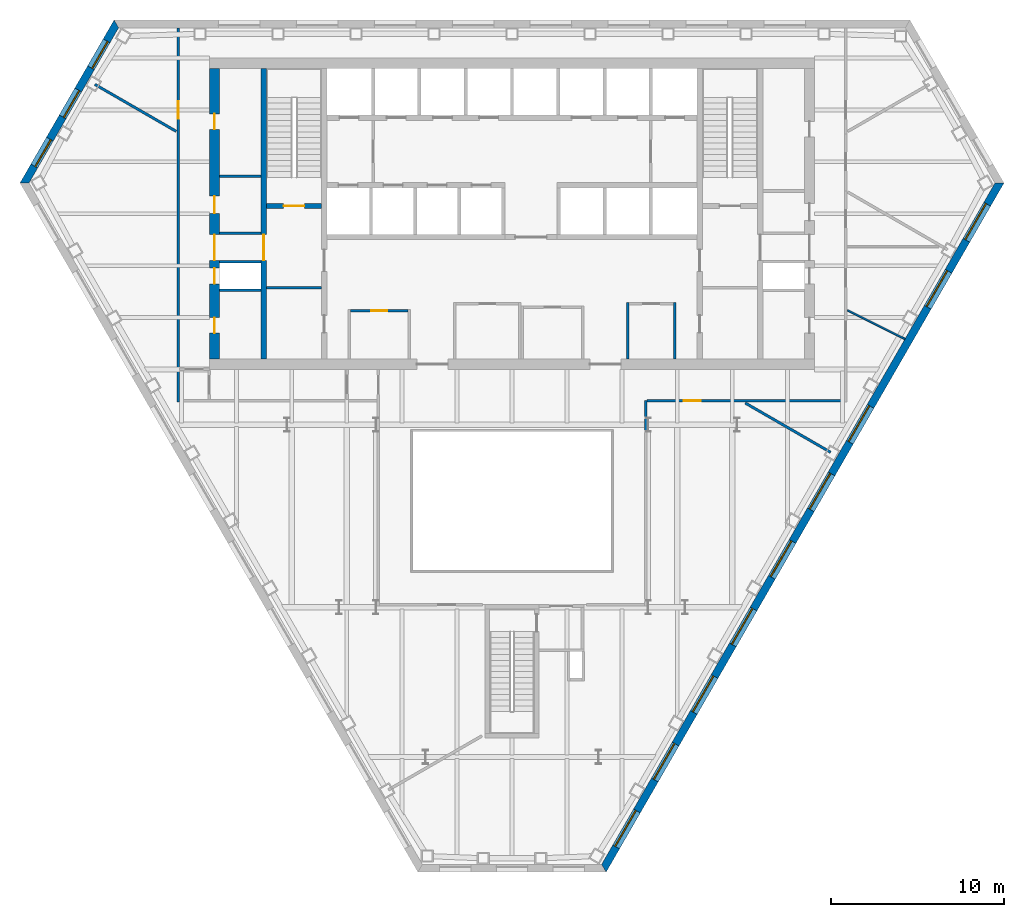
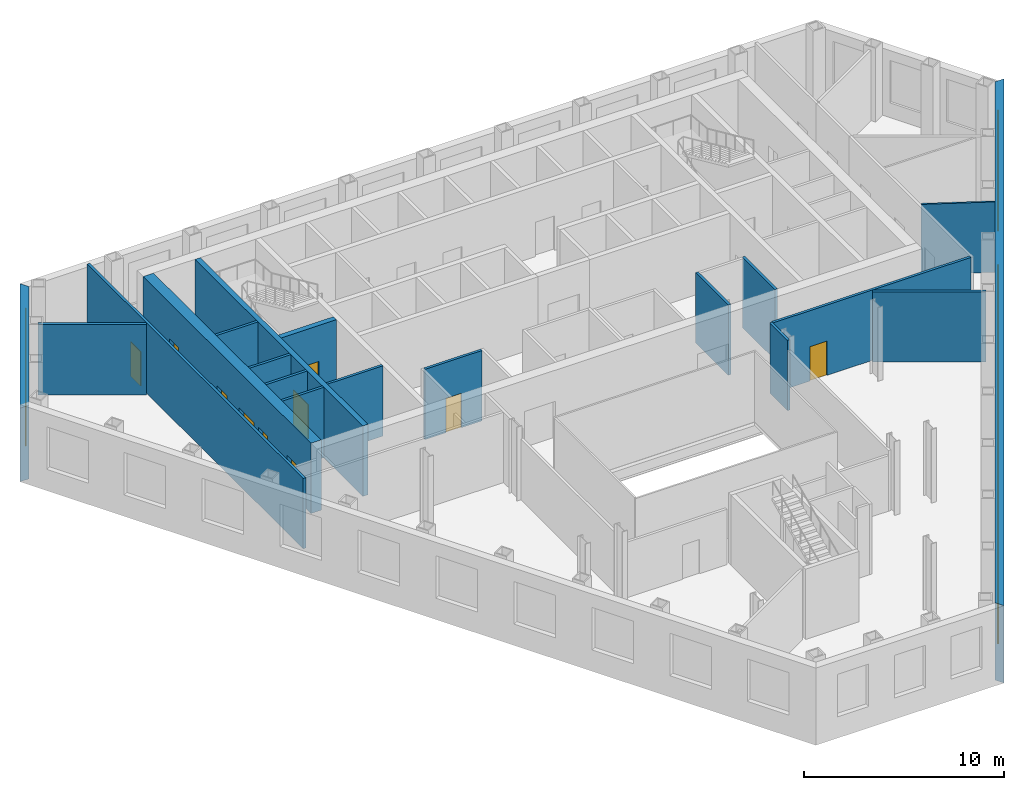
# One storey, part 5 of 10: 19 walls, 12 windows, 10 doors, 22 openings.
"""IFC4 building model written with IfcOpenShell, lengths in metres."""

import ifcopenshell
import ifcopenshell.guid

model = None  # the IFC model being written
_history = None  # IfcOwnerHistory: only IFC2X3 demands one
_inside = {}  # id of a spatial element -> (the spatial element, [elements in it])
_under = {}  # id of a project, library or spatial element -> (it, [spatial elements below it])
_declared = {}  # id of a project -> (the project, [libraries it declares])
_typed = {}  # id of a type object -> (the type object, [elements of that type])
_made_of = {}  # id of a material, layer set ... -> (it, [elements and type objects made of it])


def new_model(schema):
    """Start an empty IFC model of exactly this schema.

    Asked for "IFC4X3", IfcOpenShell would pick the latest addendum, in which some entities
    have other attributes; the version numbers below select the first issue.
    IFC2X3 requires an IfcOwnerHistory on every rooted entity: one is made here for all.
    """
    global model, _history
    if schema == "IFC4X3":
        model = ifcopenshell.file(schema_version=(4, 3, 0, 0))
    else:
        model = ifcopenshell.file(schema=schema)
    _inside.clear()
    _under.clear()
    _declared.clear()
    _typed.clear()
    _made_of.clear()
    _history = None
    if model.schema == "IFC2X3":
        org = make("IfcOrganization", Name="unknown")
        user = make(
            "IfcPersonAndOrganization",
            ThePerson=make("IfcPerson", FamilyName="unknown"),
            TheOrganization=org,
        )
        app = make(
            "IfcApplication",
            ApplicationDeveloper=org,
            Version="unknown",
            ApplicationFullName="unknown",
            ApplicationIdentifier="unknown",
        )
        _history = make(
            "IfcOwnerHistory",
            OwningUser=user,
            OwningApplication=app,
            ChangeAction="ADDED",
            CreationDate=0,
        )
    return model


def make(cls, **values):
    """One entity of the class cls with the attributes given. An attribute that is None is left unset."""
    return model.create_entity(
        cls, **{name: value for name, value in values.items() if value is not None}
    )


def rooted(cls, **values):
    """An entity with a GlobalId (a new one), such as an element, a storey or a relation."""
    return make(cls, GlobalId=ifcopenshell.guid.new(), OwnerHistory=_history, **values)


def si_unit(unit_type, name, prefix=None):
    """IfcSIUnit, for example si_unit("LENGTHUNIT", "METRE", prefix="MILLI")."""
    return make("IfcSIUnit", UnitType=unit_type, Prefix=prefix, Name=name)


def assignment(units):
    """IfcUnitAssignment: the units of a project."""
    return None if units is None else make("IfcUnitAssignment", Units=units)


def point(xyz):
    """IfcCartesianPoint."""
    return None if xyz is None else make("IfcCartesianPoint", Coordinates=xyz)


def direction(xyz):
    """IfcDirection."""
    return None if xyz is None else make("IfcDirection", DirectionRatios=xyz)


def frame(location, z_axis=None, x_axis=None):
    """IfcAxis2Placement3D, a coordinate frame: its origin and axes. An axis left out is left unset."""
    return make(
        "IfcAxis2Placement3D",
        Location=point(location),
        Axis=direction(z_axis),
        RefDirection=direction(x_axis),
    )


def frame_2d(location, x_axis=None):
    """IfcAxis2Placement2D, a coordinate frame in the plane: its origin and x axis."""
    return make(
        "IfcAxis2Placement2D", Location=point(location), RefDirection=direction(x_axis)
    )


def origin():
    """The frame at (0, 0, 0) with its axes left unset."""
    return frame((0.0, 0.0, 0.0))


def place(relative_to, where):
    """IfcLocalPlacement: puts the frame where relative to a parent placement (None: the world)."""
    return make(
        "IfcLocalPlacement", PlacementRelTo=relative_to, RelativePlacement=where
    )


def context(
    kind, dimensions, precision=None, world=None, true_north=None, identifier=None
):
    """IfcGeometricRepresentationContext, for example the 3D "Model" context."""
    return make(
        "IfcGeometricRepresentationContext",
        ContextIdentifier=identifier,
        ContextType=kind,
        CoordinateSpaceDimension=dimensions,
        Precision=precision,
        WorldCoordinateSystem=world,
        TrueNorth=true_north,
    )


def subcontext(parent, identifier, kind, view, scale=None):
    """IfcGeometricRepresentationSubContext, for example "Body" below "Model"."""
    return make(
        "IfcGeometricRepresentationSubContext",
        ContextIdentifier=identifier,
        ContextType=kind,
        ParentContext=parent,
        TargetScale=scale,
        TargetView=view,
    )


def project(units=None, contexts=None):
    """IfcProject with its units and contexts."""
    return rooted(
        "IfcProject",
        Name="project",
        RepresentationContexts=contexts,
        UnitsInContext=assignment(units),
    )


def spatial(cls, under=None, at=None, **own):
    """A site, building, storey or space (cls), placed at a placement, below another one or the project."""
    s = rooted(cls, ObjectPlacement=at, **own)
    if under is not None:
        _under.setdefault(under.id(), (under, []))[1].append(s)
    return s


def polyline(points):
    """IfcPolyline through the points."""
    return make("IfcPolyline", Points=[point(p) for p in points])


def profile(cls, at=None, kind="AREA", **sizes):
    """A parametric profile (cls). Its sizes go by their IFC names, for example OverallWidth=200.0."""
    return make(cls, ProfileType=kind, Position=at, **sizes)


def rectangle(**sizes):
    """IfcRectangleProfileDef."""
    return profile("IfcRectangleProfileDef", **sizes)


def outline(outer, holes=None, kind="AREA"):
    """IfcArbitraryClosedProfileDef: a profile drawn as a closed curve; with holes, ...WithVoids."""
    if holes is None:
        return make("IfcArbitraryClosedProfileDef", ProfileType=kind, OuterCurve=outer)
    return make(
        "IfcArbitraryProfileDefWithVoids",
        ProfileType=kind,
        OuterCurve=outer,
        InnerCurves=holes,
    )


def extrude(swept, where, along, depth):
    """IfcExtrudedAreaSolid: the profile swept, set in the frame where, extruded along a direction by depth."""
    return make(
        "IfcExtrudedAreaSolid",
        SweptArea=swept,
        Position=where,
        ExtrudedDirection=direction(along),
        Depth=depth,
    )


def shape(context_of_items, identifier, shape_type, items):
    """IfcShapeRepresentation: the items that make up one representation, for example the "Body"."""
    return make(
        "IfcShapeRepresentation",
        ContextOfItems=context_of_items,
        RepresentationIdentifier=identifier,
        RepresentationType=shape_type,
        Items=items,
    )


def material(Name=None, Category=None):
    """IfcMaterial."""
    return make("IfcMaterial", Name=Name, Category=Category)


def layer(
    of_material, thickness, ventilated=None, Name=None, Category=None, Priority=None
):
    """IfcMaterialLayer: one layer of a wall or slab, of a material (None: an air gap)."""
    return make(
        "IfcMaterialLayer",
        Material=of_material,
        LayerThickness=thickness,
        IsVentilated=ventilated,
        Name=Name,
        Category=Category,
        Priority=Priority,
    )


def layer_set(layers, Name=None):
    """IfcMaterialLayerSet."""
    return make("IfcMaterialLayerSet", MaterialLayers=layers, LayerSetName=Name)


def made_of(thing, what):
    """Note that an element or type object is made of a material, layer set ...; save() writes the relation."""
    if what is not None:
        _made_of.setdefault(what.id(), (what, []))[1].append(thing)
    return thing


def type_object(cls, material=None, **own):
    """A type object (cls), such as IfcWallType, which elements share."""
    return made_of(rooted(cls, **own), material)


def element(
    cls,
    number,
    at=None,
    inside=None,
    cuts=None,
    type_object=None,
    material=None,
    context=None,
    identifier="Body",
    shape_type=None,
    held_by="IfcProductDefinitionShape",
    body=None,
    shapes=None,
    **own,
):
    """One element of the class cls, such as IfcWall. Its Tag is "e" and its number.

    at: its placement. inside: the storey or other place that contains it. cuts: it is an
    opening in that element (IfcRelVoidsElement). A single representation is given by context,
    identifier, shape_type and body (its items); several are given by shapes. held_by: the class
    of the entity that holds the representations. save() writes the other relations.
    """
    e = rooted(cls, Tag="e%d" % number, ObjectPlacement=at, **own)
    if body is not None:
        shapes = [shape(context, identifier, shape_type, body)]
    if shapes is not None:
        e.Representation = make(held_by, Representations=shapes)
    if inside is not None:
        _inside.setdefault(inside.id(), (inside, []))[1].append(e)
    if cuts is not None:
        rooted(
            "IfcRelVoidsElement", RelatingBuildingElement=cuts, RelatedOpeningElement=e
        )
    if type_object is not None:
        _typed.setdefault(type_object.id(), (type_object, []))[1].append(e)
    return made_of(e, material)


def fill(opening, filler):
    """IfcRelFillsElement: the door or window that sits in an opening."""
    return rooted(
        "IfcRelFillsElement",
        RelatingOpeningElement=opening,
        RelatedBuildingElement=filler,
    )


def aggregate(whole, parts):
    """IfcRelAggregates: a whole, such as a stair, and the parts it consists of."""
    return rooted("IfcRelAggregates", RelatingObject=whole, RelatedObjects=parts)


def save(model, path):
    """Write the relations noted so far, then the file.

    IfcRelAggregates (storeys below a building ...), IfcRelContainedInSpatialStructure (elements
    in a storey), IfcRelDefinesByType, IfcRelAssociatesMaterial and IfcRelDeclares: one each for
    every whole, place, type object, material and project.
    """
    for whole, parts in _under.values():
        aggregate(whole, parts)
    for where, things in _inside.values():
        rooted(
            "IfcRelContainedInSpatialStructure",
            RelatedElements=things,
            RelatingStructure=where,
        )
    for kind, things in _typed.values():
        rooted("IfcRelDefinesByType", RelatedObjects=things, RelatingType=kind)
    for what, things in _made_of.values():
        rooted("IfcRelAssociatesMaterial", RelatedObjects=things, RelatingMaterial=what)
    for by, libraries in _declared.values():
        rooted("IfcRelDeclares", RelatingContext=by, RelatedDefinitions=libraries)
    model.write(path)


model = new_model("IFC4")

# Units and contexts
model_context = context("Model", 3, precision=1e-05, world=origin(), true_north=direction((0.0, 1.0)))
body_context = subcontext(model_context, "Body", "Model", "MODEL_VIEW")
ifc_project = project(units=[si_unit("LENGTHUNIT", "METRE"), si_unit("AREAUNIT", "SQUARE_METRE"), si_unit("VOLUMEUNIT", "CUBIC_METRE"), si_unit("PLANEANGLEUNIT", "RADIAN"), si_unit("MASSUNIT", "GRAM", prefix="KILO")], contexts=[model_context])

# Site, building, storey
site_placement = place(None, origin())
site = spatial("IfcSite", under=ifc_project, at=site_placement, CompositionType="ELEMENT")
building_placement = place(site_placement, origin())
building = spatial("IfcBuilding", under=site, at=building_placement, Name="Njiva Tower", CompositionType="ELEMENT")
storey_placement = place(building_placement, frame((0.0, 0.0, 73.8)))
storey = spatial("IfcBuildingStorey", under=building, at=storey_placement, Name="L15", CompositionType="ELEMENT", Elevation=73.8)

# Walls
ifc_material_1 = material(Name="Blockwork", Category="masonry")
ifc_layer_1 = layer(ifc_material_1, 0.15)
ifc_layer_set_1 = layer_set([ifc_layer_1], Name="Blockwork")
wall_type_1 = type_object("IfcWallType", Name="WT1 Compartment partition 150", PredefinedType="PARTITIONING", material=ifc_layer_set_1)
wall_1_placement = place(storey_placement, frame((-14.2, 4.725, 0.0), z_axis=(0.0, 0.0, 1.0), x_axis=(1.0, 0.0, 0.0)))
element("IfcWall", 1, at=wall_1_placement, inside=storey, type_object=wall_type_1, Name="Room wall A", PredefinedType="PARTITIONING", context=body_context, shape_type="SweptSolid", body=[
    extrude(rectangle(XDim=3.2, YDim=0.15, at=frame_2d((1.6, 0.0))), origin(), (0.0, 0.0, 1.0), 4.3),
])
wall_2_placement = place(storey_placement, frame((-16.9, 11.1709, 0.0), z_axis=(0.0, 0.0, 1.0), x_axis=(1.0, 0.0, 0.0)))
element("IfcWall", 2, at=wall_2_placement, inside=storey, type_object=wall_type_1, Name="Partition strip W10", PredefinedType="PARTITIONING", context=body_context, shape_type="SweptSolid", body=[
    extrude(rectangle(XDim=2.4, YDim=0.15, at=frame_2d((1.2, 0.0))), origin(), (0.0, 0.0, 1.0), 4.3),
])

# Wall, opening, door
wall_3_placement = place(storey_placement, frame((-9.325, 3.4, 0.0), z_axis=(0.0, 0.0, 1.0), x_axis=(1.0, 0.0, 0.0)))
wall_3 = element("IfcWall", 3, at=wall_3_placement, inside=storey, type_object=wall_type_1, Name="Post room wall north", PredefinedType="PARTITIONING", context=body_context, shape_type="SweptSolid", body=[
    extrude(rectangle(XDim=3.3, YDim=0.15, at=frame_2d((1.65, 0.0))), origin(), (0.0, 0.0, 1.0), 4.3),
])
opening_1_placement = place(wall_3_placement, frame((1.2, 0.0, 0.0)))
opening_1 = element("IfcOpeningElement", 4, at=opening_1_placement, cuts=wall_3, Name="Opening S05-D932", PredefinedType="OPENING", context=body_context, shape_type="SweptSolid", body=[
    extrude(rectangle(XDim=0.9, YDim=2.1, at=frame_2d((0.45, 1.05))), frame((0.0, 0.085, 0.0), z_axis=(0.0, -1.0, 0.0), x_axis=(1.0, 0.0, 0.0)), (0.0, 0.0, 1.0), 0.17),
])
ifc_material_2 = material(Name="Steel fire door, painted", Category="steel")
door_type_1 = type_object("IfcDoorType", Name="D6 Fire-rated door 900x2100", OperationType="SINGLE_SWING_LEFT", PredefinedType="DOOR", material=ifc_material_2)
door_1_placement = place(opening_1_placement, origin())
door_1 = element("IfcDoor", 5, at=door_1_placement, inside=storey, type_object=door_type_1, Name="Post room door", OperationType="SINGLE_SWING_RIGHT", OverallHeight=2.1, OverallWidth=0.9, PredefinedType="DOOR", context=body_context, shape_type="SweptSolid", body=[
    extrude(rectangle(XDim=0.9, YDim=2.1, at=frame_2d((0.45, 1.05))), frame((0.0, 0.025, 0.0), z_axis=(0.0, -1.0, 0.0), x_axis=(1.0, 0.0, 0.0)), (0.0, 0.0, 1.0), 0.05),
])
fill(opening_1, door_1)

# Walls
for number, where, z_axis, x_axis, name in (
    (6, (6.7, 0.6, 0.0), (0.0, 0.0, 1.0), (0.0, 1.0, 0.0), "Waiting room wall west"),
    (7, (9.4, 0.6, 0.0), (0.0, 0.0, 1.0), (0.0, 1.0, 0.0), "Waiting room wall east"),
):
    element("IfcWall", number, at=place(storey_placement, frame(where, z_axis=z_axis, x_axis=x_axis)), inside=storey, type_object=wall_type_1, Name=name, PredefinedType="PARTITIONING", context=body_context, shape_type="SweptSolid", body=[
        extrude(rectangle(XDim=3.275, YDim=0.15, at=frame_2d((1.6375, 0.0))), origin(), (0.0, 0.0, 1.0), 4.3),
    ])

# Wall, opening, door
ifc_material_3 = material(Name="Concrete C40/50", Category="concrete")
ifc_layer_2 = layer(ifc_material_3, 0.3)
ifc_layer_set_2 = layer_set([ifc_layer_2], Name="Concrete C40/50")
wall_type_2 = type_object("IfcWallType", Name="WT10 Stair enclosure wall 300", PredefinedType="SHEAR", material=ifc_layer_set_2)
wall_4_placement = place(storey_placement, frame((-14.35, 0.6, 0.0), z_axis=(0.0, 0.0, 1.0), x_axis=(0.0, 1.0, 0.0)))
wall_4 = element("IfcWall", 8, at=wall_4_placement, inside=storey, type_object=wall_type_2, Name="Stair wall west outer", PredefinedType="SHEAR", context=body_context, shape_type="SweptSolid", body=[
    extrude(rectangle(XDim=16.8, YDim=0.3, at=frame_2d((8.4, 0.0))), origin(), (0.0, 0.0, 1.0), 4.3),
])
opening_2_placement = place(wall_4_placement, frame((5.7, 0.0, 0.0)))
opening_2 = element("IfcOpeningElement", 9, at=opening_2_placement, cuts=wall_4, Name="Opening S05-D920", PredefinedType="OPENING", context=body_context, shape_type="SweptSolid", body=[
    extrude(rectangle(XDim=1.5, YDim=2.1, at=frame_2d((0.75, 1.05))), frame((0.0, 0.16, 0.0), z_axis=(0.0, -1.0, 0.0), x_axis=(1.0, 0.0, 0.0)), (0.0, 0.0, 1.0), 0.32),
])
ifc_material_4 = material(Name="Glazed steel fire door", Category="steel")
door_type_2 = type_object("IfcDoorType", Name="D10 Exit door double 1500x2100 glazed", OperationType="DOUBLE_DOOR_SINGLE_SWING", PredefinedType="DOOR", material=ifc_material_4)
door_2_placement = place(opening_2_placement, origin())
door_2 = element("IfcDoor", 10, at=door_2_placement, inside=storey, type_object=door_type_2, Name="Stair A passage door", OperationType="DOUBLE_DOOR_SINGLE_SWING", OverallHeight=2.1, OverallWidth=1.5, PredefinedType="DOOR", context=body_context, shape_type="SweptSolid", body=[
    extrude(rectangle(XDim=1.5, YDim=2.1, at=frame_2d((0.75, 1.05))), frame((0.0, 0.025, 0.0), z_axis=(0.0, -1.0, 0.0), x_axis=(1.0, 0.0, 0.0)), (0.0, 0.0, 1.0), 0.05),
])
fill(opening_2, door_2)

wall_5_placement = place(storey_placement, frame((-14.2, 9.45, 0.0), z_axis=(0.0, 0.0, 1.0), x_axis=(1.0, 0.0, 0.0)))
wall_5 = element("IfcWall", 11, at=wall_5_placement, inside=storey, type_object=wall_type_2, Name="Stair A south wall", PredefinedType="SHEAR", context=body_context, shape_type="SweptSolid", body=[
    extrude(rectangle(XDim=3.2, YDim=0.3, at=frame_2d((1.6, 0.0))), origin(), (0.0, 0.0, 1.0), 4.3),
])
opening_3_placement = place(wall_5_placement, frame((1.0, 0.0, 0.0)))
opening_3 = element("IfcOpeningElement", 12, at=opening_3_placement, cuts=wall_5, Name="Opening S05-D913", PredefinedType="OPENING", context=body_context, shape_type="SweptSolid", body=[
    extrude(rectangle(XDim=1.2, YDim=2.1, at=frame_2d((0.6, 1.05))), frame((0.0, 0.16, 0.0), z_axis=(0.0, -1.0, 0.0), x_axis=(1.0, 0.0, 0.0)), (0.0, 0.0, 1.0), 0.32),
])
door_type_3 = type_object("IfcDoorType", Name="D7 Stair vestibule door 1200x2100 glazed", OperationType="SINGLE_SWING_LEFT", PredefinedType="DOOR", material=ifc_material_4)
door_3_placement = place(opening_3_placement, origin())
door_3 = element("IfcDoor", 13, at=door_3_placement, inside=storey, type_object=door_type_3, Name="Stair A door", OperationType="SINGLE_SWING_LEFT", OverallHeight=2.1, OverallWidth=1.2, PredefinedType="DOOR", context=body_context, shape_type="SweptSolid", body=[
    extrude(rectangle(XDim=1.2, YDim=2.1, at=frame_2d((0.6, 1.05))), frame((0.0, 0.025, 0.0), z_axis=(0.0, -1.0, 0.0), x_axis=(1.0, 0.0, 0.0)), (0.0, 0.0, 1.0), 0.05),
])
fill(opening_3, door_3)

# Wall, openings, doors
ifc_material_5 = material(Name="Concrete C60/75", Category="concrete")
ifc_layer_3 = layer(ifc_material_5, 0.6)
ifc_layer_set_3 = layer_set([ifc_layer_3], Name="Concrete C60/75")
wall_type_3 = type_object("IfcWallType", Name="WT15 Core wall 600", PredefinedType="SHEAR", material=ifc_layer_set_3)
wall_6_placement = place(storey_placement, frame((-17.2, 0.6, 0.0), z_axis=(0.0, 0.0, 1.0), x_axis=(0.0, 1.0, 0.0)))
wall_6 = element("IfcWall", 14, at=wall_6_placement, inside=storey, type_object=wall_type_3, Name="Core wall west", PredefinedType="SHEAR", context=body_context, shape_type="SweptSolid", body=[
    extrude(rectangle(XDim=16.8, YDim=0.6, at=frame_2d((8.4, 0.0))), origin(), (0.0, 0.0, 1.0), 4.3),
])
opening_4_placement = place(wall_6_placement, frame((5.7, 0.0, 0.0)))
opening_4 = element("IfcOpeningElement", 15, at=opening_4_placement, cuts=wall_6, Name="Opening S05-D921", PredefinedType="OPENING", context=body_context, shape_type="SweptSolid", body=[
    extrude(rectangle(XDim=1.5, YDim=2.1, at=frame_2d((0.75, 1.05))), frame((0.0, 0.31, 0.0), z_axis=(0.0, -1.0, 0.0), x_axis=(1.0, 0.0, 0.0)), (0.0, 0.0, 1.0), 0.62),
])
opening_5_placement = place(wall_6_placement, frame((1.5, 0.0, 0.0)))
opening_5 = element("IfcOpeningElement", 16, at=opening_5_placement, cuts=wall_6, Name="Opening S05-D922", PredefinedType="OPENING", context=body_context, shape_type="SweptSolid", body=[
    extrude(rectangle(XDim=0.9, YDim=2.1, at=frame_2d((0.45, 1.05))), frame((0.0, 0.31, 0.0), z_axis=(0.0, -1.0, 0.0), x_axis=(1.0, 0.0, 0.0)), (0.0, 0.0, 1.0), 0.62),
])
opening_6_placement = place(wall_6_placement, frame((4.35, 0.0, 0.0)))
opening_6 = element("IfcOpeningElement", 17, at=opening_6_placement, cuts=wall_6, Name="Opening S05-D923", PredefinedType="OPENING", context=body_context, shape_type="SweptSolid", body=[
    extrude(rectangle(XDim=0.9, YDim=2.1, at=frame_2d((0.45, 1.05))), frame((0.0, 0.31, 0.0), z_axis=(0.0, -1.0, 0.0), x_axis=(1.0, 0.0, 0.0)), (0.0, 0.0, 1.0), 0.62),
])
opening_7_placement = place(wall_6_placement, frame((8.423, 0.0, 0.0)))
opening_7 = element("IfcOpeningElement", 18, at=opening_7_placement, cuts=wall_6, Name="Opening S05-D924", PredefinedType="OPENING", context=body_context, shape_type="SweptSolid", body=[
    extrude(rectangle(XDim=1.0, YDim=2.1, at=frame_2d((0.5, 1.05))), frame((0.0, 0.31, 0.0), z_axis=(0.0, -1.0, 0.0), x_axis=(1.0, 0.0, 0.0)), (0.0, 0.0, 1.0), 0.62),
])
opening_8_placement = place(wall_6_placement, frame((13.273, 0.0, 0.0)))
opening_8 = element("IfcOpeningElement", 19, at=opening_8_placement, cuts=wall_6, Name="Opening S05-D925", PredefinedType="OPENING", context=body_context, shape_type="SweptSolid", body=[
    extrude(rectangle(XDim=0.9, YDim=2.1, at=frame_2d((0.45, 1.05))), frame((0.0, 0.31, 0.0), z_axis=(0.0, -1.0, 0.0), x_axis=(1.0, 0.0, 0.0)), (0.0, 0.0, 1.0), 0.62),
])
door_4_placement = place(opening_4_placement, origin())
door_4 = element("IfcDoor", 20, at=door_4_placement, inside=storey, type_object=door_type_2, Name="Stair A corridor door", OperationType="DOUBLE_DOOR_SINGLE_SWING", OverallHeight=2.1, OverallWidth=1.5, PredefinedType="DOOR", context=body_context, shape_type="SweptSolid", body=[
    extrude(rectangle(XDim=1.5, YDim=2.1, at=frame_2d((0.75, 1.05))), frame((0.0, 0.025, 0.0), z_axis=(0.0, -1.0, 0.0), x_axis=(1.0, 0.0, 0.0)), (0.0, 0.0, 1.0), 0.05),
])
fill(opening_4, door_4)
ifc_material_6 = material(Name="Steel door, painted", Category="steel")
door_type_4 = type_object("IfcDoorType", Name="D4 Riser door 900x2100", OperationType="SINGLE_SWING_LEFT", PredefinedType="DOOR", material=ifc_material_6)
door_5_placement = place(opening_6_placement, origin())
door_5 = element("IfcDoor", 21, at=door_5_placement, inside=storey, type_object=door_type_4, Name="Riser door", OperationType="SINGLE_SWING_RIGHT", OverallHeight=2.1, OverallWidth=0.9, PredefinedType="DOOR", context=body_context, shape_type="SweptSolid", body=[
    extrude(rectangle(XDim=0.9, YDim=2.1, at=frame_2d((0.45, 1.05))), frame((0.0, 0.025, 0.0), z_axis=(0.0, -1.0, 0.0), x_axis=(1.0, 0.0, 0.0)), (0.0, 0.0, 1.0), 0.05),
])
fill(opening_6, door_5)
door_type_5 = type_object("IfcDoorType", Name="D5 Steel door 1000x2100", OperationType="SINGLE_SWING_LEFT", PredefinedType="DOOR", material=ifc_material_6)
door_6_placement = place(opening_7_placement, origin())
door_6 = element("IfcDoor", 22, at=door_6_placement, inside=storey, type_object=door_type_5, Name="Electrical room door", OperationType="SINGLE_SWING_RIGHT", OverallHeight=2.1, OverallWidth=1.0, PredefinedType="DOOR", context=body_context, shape_type="SweptSolid", body=[
    extrude(rectangle(XDim=1.0, YDim=2.1, at=frame_2d((0.5, 1.05))), frame((0.0, 0.025, 0.0), z_axis=(0.0, -1.0, 0.0), x_axis=(1.0, 0.0, 0.0)), (0.0, 0.0, 1.0), 0.05),
])
fill(opening_7, door_6)
door_7_placement = place(opening_5_placement, origin())
door_7 = element("IfcDoor", 23, at=door_7_placement, inside=storey, type_object=door_type_1, Name="First aid room door", OperationType="SINGLE_SWING_LEFT", OverallHeight=2.1, OverallWidth=0.9, PredefinedType="DOOR", context=body_context, shape_type="SweptSolid", body=[
    extrude(rectangle(XDim=0.9, YDim=2.1, at=frame_2d((0.45, 1.05))), frame((0.0, 0.025, 0.0), z_axis=(0.0, -1.0, 0.0), x_axis=(1.0, 0.0, 0.0)), (0.0, 0.0, 1.0), 0.05),
])
fill(opening_5, door_7)
door_8_placement = place(opening_8_placement, origin())
door_8 = element("IfcDoor", 24, at=door_8_placement, inside=storey, type_object=door_type_1, Name="Breakout room door", OperationType="SINGLE_SWING_RIGHT", OverallHeight=2.1, OverallWidth=0.9, PredefinedType="DOOR", context=body_context, shape_type="SweptSolid", body=[
    extrude(rectangle(XDim=0.9, YDim=2.1, at=frame_2d((0.45, 1.05))), frame((0.0, 0.025, 0.0), z_axis=(0.0, -1.0, 0.0), x_axis=(1.0, 0.0, 0.0)), (0.0, 0.0, 1.0), 0.05),
])
fill(opening_8, door_8)

# Walls
ifc_material_7 = material(Name="Gypsum board on steel studs", Category="gypsum")
ifc_layer_4 = layer(ifc_material_7, 0.1)
ifc_layer_set_4 = layer_set([ifc_layer_4], Name="Gypsum board on steel studs")
wall_type_4 = type_object("IfcWallType", Name="WT20 Gypsum partition 100", PredefinedType="PARTITIONING", material=ifc_layer_set_4)
wall_7_placement = place(storey_placement, frame((19.397, 3.419, 0.0), z_axis=(0.0, 0.0, 1.0), x_axis=(0.894157297607, -0.447752975574, 0.0)))
element("IfcWall", 25, at=wall_7_placement, inside=storey, type_object=wall_type_4, Name="Partition S05-P018", PredefinedType="PARTITIONING", context=body_context, shape_type="SweptSolid", body=[
    extrude(rectangle(XDim=3.7074, YDim=0.1, at=frame_2d((1.8537, 0.0))), origin(), (0.0, 0.0, 1.0), 4.3),
])
ifc_layer_5 = layer(ifc_material_7, 0.15)
ifc_layer_set_5 = layer_set([ifc_layer_5], Name="Gypsum board on steel studs")
wall_type_5 = type_object("IfcWallType", Name="WT21 Compartment wall 150", PredefinedType="PARTITIONING", material=ifc_layer_set_5)
wall_8_placement = place(storey_placement, frame((-24.111, 16.476, 0.0), z_axis=(0.0, 0.0, 1.0), x_axis=(0.866102723824, -0.499866053843, 0.0)))
element("IfcWall", 26, at=wall_8_placement, inside=storey, type_object=wall_type_5, Name="Partition S05-P001", PredefinedType="PARTITIONING", context=body_context, shape_type="SweptSolid", body=[
    extrude(rectangle(XDim=5.4255, YDim=0.15, at=frame_2d((2.7128, 0.0))), origin(), (0.0, 0.0, 1.0), 4.3),
])

# Wall, opening, door
wall_9_placement = place(storey_placement, frame((-19.3, -1.875, 0.0), z_axis=(0.0, 0.0, 1.0), x_axis=(0.0, 1.0, 0.0)))
wall_9 = element("IfcWall", 27, at=wall_9_placement, inside=storey, type_object=wall_type_5, Name="Partition S05-P002", PredefinedType="PARTITIONING", context=body_context, shape_type="SweptSolid", body=[
    extrude(rectangle(XDim=21.624, YDim=0.15, at=frame_2d((10.812, 0.0))), origin(), (0.0, 0.0, 1.0), 4.3),
])
opening_9_placement = place(wall_9_placement, frame((16.381, 0.0, 0.0)))
opening_9 = element("IfcOpeningElement", 28, at=opening_9_placement, cuts=wall_9, Name="Opening S05-D001", PredefinedType="OPENING", context=body_context, shape_type="SweptSolid", body=[
    extrude(rectangle(XDim=1.0, YDim=2.1, at=frame_2d((0.5, 1.05))), frame((0.0, 0.085, 0.0), z_axis=(0.0, -1.0, 0.0), x_axis=(1.0, 0.0, 0.0)), (0.0, 0.0, 1.0), 0.17),
])
ifc_material_8 = material(Name="Steel fire door set", Category="steel")
door_type_6 = type_object("IfcDoorType", Name="D37 Fire door 1000x2100", OperationType="SINGLE_SWING_LEFT", PredefinedType="DOOR", material=ifc_material_8)
door_9_placement = place(opening_9_placement, origin())
door_9 = element("IfcDoor", 29, at=door_9_placement, inside=storey, type_object=door_type_6, Name="Door S05-D001", OperationType="SINGLE_SWING_LEFT", OverallHeight=2.1, OverallWidth=1.0, PredefinedType="DOOR", context=body_context, shape_type="SweptSolid", body=[
    extrude(rectangle(XDim=1.0, YDim=2.1, at=frame_2d((0.5, 1.05))), frame((0.0, 0.025, 0.0), z_axis=(0.0, -1.0, 0.0), x_axis=(1.0, 0.0, 0.0)), (0.0, 0.0, 1.0), 0.05),
])
fill(opening_9, door_9)

# Wall
wall_10_placement = place(storey_placement, frame((7.72, -3.557, 0.0), z_axis=(0.0, 0.0, 1.0), x_axis=(0.0, 1.0, 0.0)))
element("IfcWall", 30, at=wall_10_placement, inside=storey, type_object=wall_type_5, Name="Partition S05-P011A", PredefinedType="PARTITIONING", context=body_context, shape_type="SweptSolid", body=[
    extrude(rectangle(XDim=1.768, YDim=0.15, at=frame_2d((0.884, 0.0))), origin(), (0.0, 0.0, 1.0), 4.3),
])

# Wall, opening, door
wall_11_placement = place(storey_placement, frame((7.795, -1.8, 0.0), z_axis=(0.0, 0.0, 1.0), x_axis=(1.0, 0.0, 0.0)))
wall_11 = element("IfcWall", 31, at=wall_11_placement, inside=storey, type_object=wall_type_5, Name="Partition S05-P012", PredefinedType="PARTITIONING", context=body_context, shape_type="SweptSolid", body=[
    extrude(rectangle(XDim=11.43, YDim=0.15, at=frame_2d((5.715, 0.0))), origin(), (0.0, 0.0, 1.0), 4.3),
])
opening_10_placement = place(wall_11_placement, frame((2.121, 0.0, 0.0)))
opening_10 = element("IfcOpeningElement", 32, at=opening_10_placement, cuts=wall_11, Name="Opening S05-D007", PredefinedType="OPENING", context=body_context, shape_type="SweptSolid", body=[
    extrude(rectangle(XDim=1.0, YDim=2.1, at=frame_2d((0.5, 1.05))), frame((0.0, 0.085, 0.0), z_axis=(0.0, -1.0, 0.0), x_axis=(1.0, 0.0, 0.0)), (0.0, 0.0, 1.0), 0.17),
])
door_10_placement = place(opening_10_placement, origin())
door_10 = element("IfcDoor", 33, at=door_10_placement, inside=storey, type_object=door_type_6, Name="Door S05-D007", OperationType="SINGLE_SWING_LEFT", OverallHeight=2.1, OverallWidth=1.0, PredefinedType="DOOR", context=body_context, shape_type="SweptSolid", body=[
    extrude(rectangle(XDim=1.0, YDim=2.1, at=frame_2d((0.5, 1.05))), frame((0.0, 0.025, 0.0), z_axis=(0.0, -1.0, 0.0), x_axis=(1.0, 0.0, 0.0)), (0.0, 0.0, 1.0), 0.05),
])
fill(opening_10, door_10)

# Walls
wall_12_placement = place(storey_placement, frame((13.484, -1.94, 0.0), z_axis=(0.0, 0.0, 1.0), x_axis=(0.866018876994, -0.500011304563, 0.0)))
element("IfcWall", 34, at=wall_12_placement, inside=storey, type_object=wall_type_5, Name="Partition S05-P013", PredefinedType="PARTITIONING", context=body_context, shape_type="SweptSolid", body=[
    extrude(rectangle(XDim=5.6939, YDim=0.15, at=frame_2d((2.847, 0.0))), origin(), (0.0, 0.0, 1.0), 4.3),
])
ifc_layer_6 = layer(ifc_material_1, 0.15)
ifc_layer_set_6 = layer_set([ifc_layer_6], Name="Blockwork")
wall_type_6 = type_object("IfcWallType", Name="WT3 Riser partition 150", PredefinedType="PARTITIONING", material=ifc_layer_set_6)
wall_13_placement = place(storey_placement, frame((-16.9, 4.575, 0.0), z_axis=(0.0, 0.0, 1.0), x_axis=(1.0, 0.0, 0.0)))
element("IfcWall", 35, at=wall_13_placement, inside=storey, type_object=wall_type_6, Name="Partition strip W00", PredefinedType="PARTITIONING", context=body_context, shape_type="SweptSolid", body=[
    extrude(rectangle(XDim=2.4, YDim=0.15, at=frame_2d((1.2, 0.0))), origin(), (0.0, 0.0, 1.0), 4.3),
])
ifc_layer_7 = layer(ifc_material_1, 0.15)
ifc_layer_set_7 = layer_set([ifc_layer_7], Name="Blockwork")
wall_type_7 = type_object("IfcWallType", Name="WT4 Stair partition 150", PredefinedType="PARTITIONING", material=ifc_layer_set_7)
for number, where, z_axis, x_axis, name in (
    (36, (-16.9, 6.225, 0.0), (0.0, 0.0, 1.0), (1.0, 0.0, 0.0), "Stair A exit passage wall south"),
    (37, (-16.9, 7.875, 0.0), (0.0, 0.0, 1.0), (1.0, 0.0, 0.0), "Stair A exit passage wall north"),
):
    element("IfcWall", number, at=place(storey_placement, frame(where, z_axis=z_axis, x_axis=x_axis)), inside=storey, type_object=wall_type_7, Name=name, PredefinedType="PARTITIONING", context=body_context, shape_type="SweptSolid", body=[
        extrude(rectangle(XDim=2.4, YDim=0.15, at=frame_2d((1.2, 0.0))), origin(), (0.0, 0.0, 1.0), 4.3),
    ])

# Wall, openings, windows
ifc_material_9 = material(Name="Brick masonry", Category="masonry")
ifc_layer_8 = layer(ifc_material_9, 0.45)
ifc_layer_set_8 = layer_set([ifc_layer_8], Name="Brick masonry")
wall_type_8 = type_object("IfcWallType", Name="WT90 Brick pier and spandrel wall 450", PredefinedType="SOLIDWALL", material=ifc_layer_set_8)
wall_14_placement = place(storey_placement, frame((5.3101, -28.8345, -0.4), z_axis=(0.0, 0.0, 1.0), x_axis=(0.500000711659, 0.866024992908, 0.0)))
wall_14 = element("IfcWall", 38, at=wall_14_placement, inside=storey, type_object=wall_type_8, Name="Facade wall SE", PredefinedType="SOLIDWALL", context=body_context, shape_type="SweptSolid", body=[
    extrude(outline(polyline([(-0.1299, -0.225), (45.87, -0.225), (45.6102, 0.225), (0.1299, 0.225), (-0.1299, -0.225)])), origin(), (0.0, 0.0, 1.0), 4.72),
])
opening_11_placement = place(wall_14_placement, frame((1.4242, 0.0, 1.3)))
opening_11 = element("IfcOpeningElement", 39, at=opening_11_placement, cuts=wall_14, Name="Opening S05-W25", PredefinedType="OPENING", context=body_context, shape_type="SweptSolid", body=[
    extrude(rectangle(XDim=2.4, YDim=2.6, at=frame_2d((1.2, 1.3))), frame((0.0, 0.235, 0.0), z_axis=(0.0, -1.0, 0.0), x_axis=(1.0, 0.0, 0.0)), (0.0, 0.0, 1.0), 0.47),
])
opening_12_placement = place(wall_14_placement, frame((5.8934, 0.0, 1.3)))
opening_12 = element("IfcOpeningElement", 40, at=opening_12_placement, cuts=wall_14, Name="Opening S05-W26", PredefinedType="OPENING", context=body_context, shape_type="SweptSolid", body=[
    extrude(rectangle(XDim=2.4, YDim=2.6, at=frame_2d((1.2, 1.3))), frame((0.0, 0.235, 0.0), z_axis=(0.0, -1.0, 0.0), x_axis=(1.0, 0.0, 0.0)), (0.0, 0.0, 1.0), 0.47),
])
opening_13_placement = place(wall_14_placement, frame((10.401, 0.0, 1.3)))
opening_13 = element("IfcOpeningElement", 41, at=opening_13_placement, cuts=wall_14, Name="Opening S05-W27", PredefinedType="OPENING", context=body_context, shape_type="SweptSolid", body=[
    extrude(rectangle(XDim=2.4, YDim=2.6, at=frame_2d((1.2, 1.3))), frame((0.0, 0.235, 0.0), z_axis=(0.0, -1.0, 0.0), x_axis=(1.0, 0.0, 0.0)), (0.0, 0.0, 1.0), 0.47),
])
opening_14_placement = place(wall_14_placement, frame((14.9087, 0.0, 1.3)))
opening_14 = element("IfcOpeningElement", 42, at=opening_14_placement, cuts=wall_14, Name="Opening S05-W28", PredefinedType="OPENING", context=body_context, shape_type="SweptSolid", body=[
    extrude(rectangle(XDim=2.4, YDim=2.6, at=frame_2d((1.2, 1.3))), frame((0.0, 0.235, 0.0), z_axis=(0.0, -1.0, 0.0), x_axis=(1.0, 0.0, 0.0)), (0.0, 0.0, 1.0), 0.47),
])
opening_15_placement = place(wall_14_placement, frame((19.4163, 0.0, 1.3)))
opening_15 = element("IfcOpeningElement", 43, at=opening_15_placement, cuts=wall_14, Name="Opening S05-W29", PredefinedType="OPENING", context=body_context, shape_type="SweptSolid", body=[
    extrude(rectangle(XDim=2.4, YDim=2.6, at=frame_2d((1.2, 1.3))), frame((0.0, 0.235, 0.0), z_axis=(0.0, -1.0, 0.0), x_axis=(1.0, 0.0, 0.0)), (0.0, 0.0, 1.0), 0.47),
])
opening_16_placement = place(wall_14_placement, frame((23.9239, 0.0, 1.3)))
opening_16 = element("IfcOpeningElement", 44, at=opening_16_placement, cuts=wall_14, Name="Opening S05-W30", PredefinedType="OPENING", context=body_context, shape_type="SweptSolid", body=[
    extrude(rectangle(XDim=2.4, YDim=2.6, at=frame_2d((1.2, 1.3))), frame((0.0, 0.235, 0.0), z_axis=(0.0, -1.0, 0.0), x_axis=(1.0, 0.0, 0.0)), (0.0, 0.0, 1.0), 0.47),
])
opening_17_placement = place(wall_14_placement, frame((28.4315, 0.0, 1.3)))
opening_17 = element("IfcOpeningElement", 45, at=opening_17_placement, cuts=wall_14, Name="Opening S05-W31", PredefinedType="OPENING", context=body_context, shape_type="SweptSolid", body=[
    extrude(rectangle(XDim=2.4, YDim=2.6, at=frame_2d((1.2, 1.3))), frame((0.0, 0.235, 0.0), z_axis=(0.0, -1.0, 0.0), x_axis=(1.0, 0.0, 0.0)), (0.0, 0.0, 1.0), 0.47),
])
opening_18_placement = place(wall_14_placement, frame((37.4468, 0.0, 1.3)))
opening_18 = element("IfcOpeningElement", 46, at=opening_18_placement, cuts=wall_14, Name="Opening S05-W32", PredefinedType="OPENING", context=body_context, shape_type="SweptSolid", body=[
    extrude(rectangle(XDim=2.4, YDim=2.6, at=frame_2d((1.2, 1.3))), frame((0.0, 0.235, 0.0), z_axis=(0.0, -1.0, 0.0), x_axis=(1.0, 0.0, 0.0)), (0.0, 0.0, 1.0), 0.47),
])
opening_19_placement = place(wall_14_placement, frame((41.916, 0.0, 1.3)))
opening_19 = element("IfcOpeningElement", 47, at=opening_19_placement, cuts=wall_14, Name="Opening S05-W33", PredefinedType="OPENING", context=body_context, shape_type="SweptSolid", body=[
    extrude(rectangle(XDim=2.4, YDim=2.6, at=frame_2d((1.2, 1.3))), frame((0.0, 0.235, 0.0), z_axis=(0.0, -1.0, 0.0), x_axis=(1.0, 0.0, 0.0)), (0.0, 0.0, 1.0), 0.47),
])
ifc_material_10 = material(Name="Clear glazing in aluminium frame", Category="aluminium")
window_type_1 = type_object("IfcWindowType", Name="W92 Deep-set window 2400x2600", PartitioningType="SINGLE_PANEL", PredefinedType="WINDOW", material=ifc_material_10)
window_1_placement = place(opening_11_placement, origin())
window_1 = element("IfcWindow", 48, at=window_1_placement, inside=storey, type_object=window_type_1, Name="Window", OverallHeight=2.6, OverallWidth=2.4, PartitioningType="SINGLE_PANEL", PredefinedType="WINDOW", context=body_context, shape_type="SweptSolid", body=[
    extrude(rectangle(XDim=2.4, YDim=2.6, at=frame_2d((1.2, 1.3))), frame((0.0, 0.105, 0.0), z_axis=(0.0, -1.0, 0.0), x_axis=(1.0, 0.0, 0.0)), (0.0, 0.0, 1.0), 0.06),
])
fill(opening_11, window_1)
window_2_placement = place(opening_12_placement, origin())
window_2 = element("IfcWindow", 49, at=window_2_placement, inside=storey, type_object=window_type_1, Name="Window", OverallHeight=2.6, OverallWidth=2.4, PartitioningType="SINGLE_PANEL", PredefinedType="WINDOW", context=body_context, shape_type="SweptSolid", body=[
    extrude(rectangle(XDim=2.4, YDim=2.6, at=frame_2d((1.2, 1.3))), frame((0.0, 0.105, 0.0), z_axis=(0.0, -1.0, 0.0), x_axis=(1.0, 0.0, 0.0)), (0.0, 0.0, 1.0), 0.06),
])
fill(opening_12, window_2)
window_3_placement = place(opening_13_placement, origin())
window_3 = element("IfcWindow", 50, at=window_3_placement, inside=storey, type_object=window_type_1, Name="Window", OverallHeight=2.6, OverallWidth=2.4, PartitioningType="SINGLE_PANEL", PredefinedType="WINDOW", context=body_context, shape_type="SweptSolid", body=[
    extrude(rectangle(XDim=2.4, YDim=2.6, at=frame_2d((1.2, 1.3))), frame((0.0, 0.105, 0.0), z_axis=(0.0, -1.0, 0.0), x_axis=(1.0, 0.0, 0.0)), (0.0, 0.0, 1.0), 0.06),
])
fill(opening_13, window_3)
window_4_placement = place(opening_14_placement, origin())
window_4 = element("IfcWindow", 51, at=window_4_placement, inside=storey, type_object=window_type_1, Name="Window", OverallHeight=2.6, OverallWidth=2.4, PartitioningType="SINGLE_PANEL", PredefinedType="WINDOW", context=body_context, shape_type="SweptSolid", body=[
    extrude(rectangle(XDim=2.4, YDim=2.6, at=frame_2d((1.2, 1.3))), frame((0.0, 0.105, 0.0), z_axis=(0.0, -1.0, 0.0), x_axis=(1.0, 0.0, 0.0)), (0.0, 0.0, 1.0), 0.06),
])
fill(opening_14, window_4)
window_5_placement = place(opening_15_placement, origin())
window_5 = element("IfcWindow", 52, at=window_5_placement, inside=storey, type_object=window_type_1, Name="Window", OverallHeight=2.6, OverallWidth=2.4, PartitioningType="SINGLE_PANEL", PredefinedType="WINDOW", context=body_context, shape_type="SweptSolid", body=[
    extrude(rectangle(XDim=2.4, YDim=2.6, at=frame_2d((1.2, 1.3))), frame((0.0, 0.105, 0.0), z_axis=(0.0, -1.0, 0.0), x_axis=(1.0, 0.0, 0.0)), (0.0, 0.0, 1.0), 0.06),
])
fill(opening_15, window_5)
window_6_placement = place(opening_16_placement, origin())
window_6 = element("IfcWindow", 53, at=window_6_placement, inside=storey, type_object=window_type_1, Name="Window", OverallHeight=2.6, OverallWidth=2.4, PartitioningType="SINGLE_PANEL", PredefinedType="WINDOW", context=body_context, shape_type="SweptSolid", body=[
    extrude(rectangle(XDim=2.4, YDim=2.6, at=frame_2d((1.2, 1.3))), frame((0.0, 0.105, 0.0), z_axis=(0.0, -1.0, 0.0), x_axis=(1.0, 0.0, 0.0)), (0.0, 0.0, 1.0), 0.06),
])
fill(opening_16, window_6)
window_7_placement = place(opening_17_placement, origin())
window_7 = element("IfcWindow", 54, at=window_7_placement, inside=storey, type_object=window_type_1, Name="Window", OverallHeight=2.6, OverallWidth=2.4, PartitioningType="SINGLE_PANEL", PredefinedType="WINDOW", context=body_context, shape_type="SweptSolid", body=[
    extrude(rectangle(XDim=2.4, YDim=2.6, at=frame_2d((1.2, 1.3))), frame((0.0, 0.105, 0.0), z_axis=(0.0, -1.0, 0.0), x_axis=(1.0, 0.0, 0.0)), (0.0, 0.0, 1.0), 0.06),
])
fill(opening_17, window_7)
window_8_placement = place(opening_18_placement, origin())
window_8 = element("IfcWindow", 55, at=window_8_placement, inside=storey, type_object=window_type_1, Name="Window", OverallHeight=2.6, OverallWidth=2.4, PartitioningType="SINGLE_PANEL", PredefinedType="WINDOW", context=body_context, shape_type="SweptSolid", body=[
    extrude(rectangle(XDim=2.4, YDim=2.6, at=frame_2d((1.2, 1.3))), frame((0.0, 0.105, 0.0), z_axis=(0.0, -1.0, 0.0), x_axis=(1.0, 0.0, 0.0)), (0.0, 0.0, 1.0), 0.06),
])
fill(opening_18, window_8)
window_9_placement = place(opening_19_placement, origin())
window_9 = element("IfcWindow", 56, at=window_9_placement, inside=storey, type_object=window_type_1, Name="Window", OverallHeight=2.6, OverallWidth=2.4, PartitioningType="SINGLE_PANEL", PredefinedType="WINDOW", context=body_context, shape_type="SweptSolid", body=[
    extrude(rectangle(XDim=2.4, YDim=2.6, at=frame_2d((1.2, 1.3))), frame((0.0, 0.105, 0.0), z_axis=(0.0, -1.0, 0.0), x_axis=(1.0, 0.0, 0.0)), (0.0, 0.0, 1.0), 0.06),
])
fill(opening_19, window_9)

ifc_material_11 = material(Name="Brick masonry, buff", Category="masonry")
ifc_layer_9 = layer(ifc_material_11, 0.45)
ifc_layer_set_9 = layer_set([ifc_layer_9], Name="Brick masonry, buff")
wall_type_9 = type_object("IfcWallType", Name="WT94 Brick pier and spandrel wall 450, buff", PredefinedType="SOLIDWALL", material=ifc_layer_set_9)
wall_15_placement = place(storey_placement, frame((-22.8701, 19.975, -0.4), z_axis=(0.0, 0.0, 1.0), x_axis=(-0.499998491145, -0.866026274921, 0.0)))
wall_15 = element("IfcWall", 57, at=wall_15_placement, inside=storey, type_object=wall_type_9, Name="Facade wall NW", PredefinedType="SOLIDWALL", context=body_context, shape_type="SweptSolid", body=[
    extrude(outline(polyline([(-0.1299, -0.225), (10.7501, -0.225), (10.4903, 0.225), (0.1299, 0.225), (-0.1299, -0.225)])), origin(), (0.0, 0.0, 1.0), 4.5),
])
opening_20_placement = place(wall_15_placement, frame((1.1297, 0.0, 1.3)))
opening_20 = element("IfcOpeningElement", 58, at=opening_20_placement, cuts=wall_15, Name="Opening S05-W09", PredefinedType="OPENING", context=body_context, shape_type="SweptSolid", body=[
    extrude(rectangle(XDim=1.8, YDim=2.6, at=frame_2d((0.9, 1.3))), frame((0.0, 0.235, 0.0), z_axis=(0.0, -1.0, 0.0), x_axis=(1.0, 0.0, 0.0)), (0.0, 0.0, 1.0), 0.47),
])
opening_21_placement = place(wall_15_placement, frame((4.4101, 0.0, 1.3)))
opening_21 = element("IfcOpeningElement", 59, at=opening_21_placement, cuts=wall_15, Name="Opening S05-W10", PredefinedType="OPENING", context=body_context, shape_type="SweptSolid", body=[
    extrude(rectangle(XDim=1.8, YDim=2.6, at=frame_2d((0.9, 1.3))), frame((0.0, 0.235, 0.0), z_axis=(0.0, -1.0, 0.0), x_axis=(1.0, 0.0, 0.0)), (0.0, 0.0, 1.0), 0.47),
])
opening_22_placement = place(wall_15_placement, frame((7.6904, 0.0, 1.3)))
opening_22 = element("IfcOpeningElement", 60, at=opening_22_placement, cuts=wall_15, Name="Opening S05-W11", PredefinedType="OPENING", context=body_context, shape_type="SweptSolid", body=[
    extrude(rectangle(XDim=1.8, YDim=2.6, at=frame_2d((0.9, 1.3))), frame((0.0, 0.235, 0.0), z_axis=(0.0, -1.0, 0.0), x_axis=(1.0, 0.0, 0.0)), (0.0, 0.0, 1.0), 0.47),
])
window_type_2 = type_object("IfcWindowType", Name="W96 Deep-set window 1800x2600", PartitioningType="SINGLE_PANEL", PredefinedType="WINDOW", material=ifc_material_10)
window_10_placement = place(opening_20_placement, origin())
window_10 = element("IfcWindow", 61, at=window_10_placement, inside=storey, type_object=window_type_2, Name="Window", OverallHeight=2.6, OverallWidth=1.8, PartitioningType="SINGLE_PANEL", PredefinedType="WINDOW", context=body_context, shape_type="SweptSolid", body=[
    extrude(rectangle(XDim=1.8, YDim=2.6, at=frame_2d((0.9, 1.3))), frame((0.0, 0.105, 0.0), z_axis=(0.0, -1.0, 0.0), x_axis=(1.0, 0.0, 0.0)), (0.0, 0.0, 1.0), 0.06),
])
fill(opening_20, window_10)
window_11_placement = place(opening_21_placement, origin())
window_11 = element("IfcWindow", 62, at=window_11_placement, inside=storey, type_object=window_type_2, Name="Window", OverallHeight=2.6, OverallWidth=1.8, PartitioningType="SINGLE_PANEL", PredefinedType="WINDOW", context=body_context, shape_type="SweptSolid", body=[
    extrude(rectangle(XDim=1.8, YDim=2.6, at=frame_2d((0.9, 1.3))), frame((0.0, 0.105, 0.0), z_axis=(0.0, -1.0, 0.0), x_axis=(1.0, 0.0, 0.0)), (0.0, 0.0, 1.0), 0.06),
])
fill(opening_21, window_11)
window_12_placement = place(opening_22_placement, origin())
window_12 = element("IfcWindow", 63, at=window_12_placement, inside=storey, type_object=window_type_2, Name="Window", OverallHeight=2.6, OverallWidth=1.8, PartitioningType="SINGLE_PANEL", PredefinedType="WINDOW", context=body_context, shape_type="SweptSolid", body=[
    extrude(rectangle(XDim=1.8, YDim=2.6, at=frame_2d((0.9, 1.3))), frame((0.0, 0.105, 0.0), z_axis=(0.0, -1.0, 0.0), x_axis=(1.0, 0.0, 0.0)), (0.0, 0.0, 1.0), 0.06),
])
fill(opening_22, window_12)

save(model, "model.ifc")
